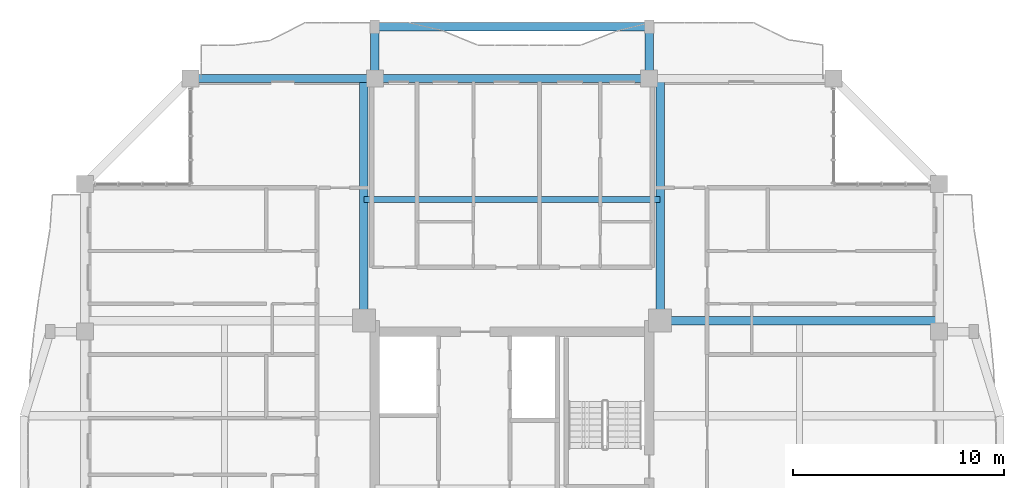
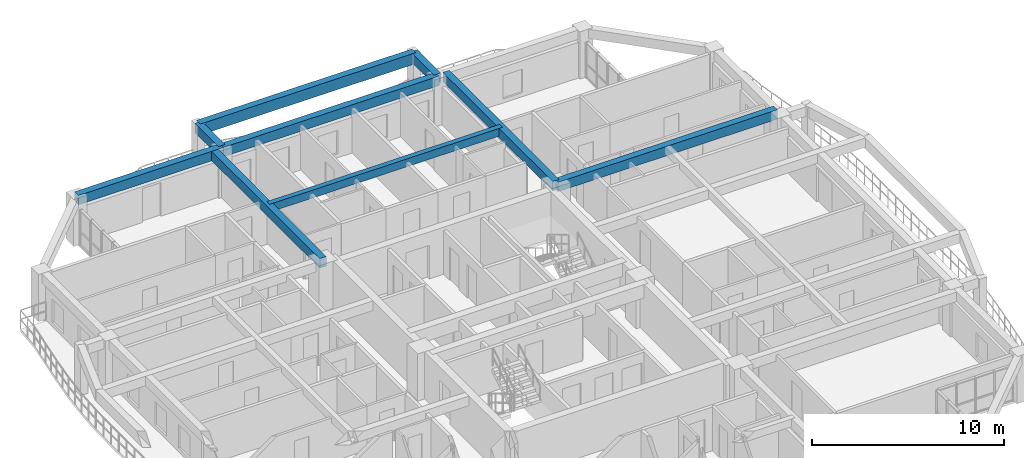
# One storey, part 7 of 21: 9 beams.
"""IFC4 building model written with IfcOpenShell, lengths in metres."""

import ifcopenshell
import ifcopenshell.guid

model = None  # the IFC model being written
_history = None  # IfcOwnerHistory: only IFC2X3 demands one
_inside = {}  # id of a spatial element -> (the spatial element, [elements in it])
_under = {}  # id of a project, library or spatial element -> (it, [spatial elements below it])
_declared = {}  # id of a project -> (the project, [libraries it declares])
_typed = {}  # id of a type object -> (the type object, [elements of that type])
_made_of = {}  # id of a material, layer set ... -> (it, [elements and type objects made of it])


def new_model(schema):
    """Start an empty IFC model of exactly this schema.

    Asked for "IFC4X3", IfcOpenShell would pick the latest addendum, in which some entities
    have other attributes; the version numbers below select the first issue.
    IFC2X3 requires an IfcOwnerHistory on every rooted entity: one is made here for all.
    """
    global model, _history
    if schema == "IFC4X3":
        model = ifcopenshell.file(schema_version=(4, 3, 0, 0))
    else:
        model = ifcopenshell.file(schema=schema)
    _inside.clear()
    _under.clear()
    _declared.clear()
    _typed.clear()
    _made_of.clear()
    _history = None
    if model.schema == "IFC2X3":
        org = make("IfcOrganization", Name="unknown")
        user = make(
            "IfcPersonAndOrganization",
            ThePerson=make("IfcPerson", FamilyName="unknown"),
            TheOrganization=org,
        )
        app = make(
            "IfcApplication",
            ApplicationDeveloper=org,
            Version="unknown",
            ApplicationFullName="unknown",
            ApplicationIdentifier="unknown",
        )
        _history = make(
            "IfcOwnerHistory",
            OwningUser=user,
            OwningApplication=app,
            ChangeAction="ADDED",
            CreationDate=0,
        )
    return model


def make(cls, **values):
    """One entity of the class cls with the attributes given. An attribute that is None is left unset."""
    return model.create_entity(
        cls, **{name: value for name, value in values.items() if value is not None}
    )


def rooted(cls, **values):
    """An entity with a GlobalId (a new one), such as an element, a storey or a relation."""
    return make(cls, GlobalId=ifcopenshell.guid.new(), OwnerHistory=_history, **values)


def si_unit(unit_type, name, prefix=None):
    """IfcSIUnit, for example si_unit("LENGTHUNIT", "METRE", prefix="MILLI")."""
    return make("IfcSIUnit", UnitType=unit_type, Prefix=prefix, Name=name)


def assignment(units):
    """IfcUnitAssignment: the units of a project."""
    return None if units is None else make("IfcUnitAssignment", Units=units)


def point(xyz):
    """IfcCartesianPoint."""
    return None if xyz is None else make("IfcCartesianPoint", Coordinates=xyz)


def direction(xyz):
    """IfcDirection."""
    return None if xyz is None else make("IfcDirection", DirectionRatios=xyz)


def frame(location, z_axis=None, x_axis=None):
    """IfcAxis2Placement3D, a coordinate frame: its origin and axes. An axis left out is left unset."""
    return make(
        "IfcAxis2Placement3D",
        Location=point(location),
        Axis=direction(z_axis),
        RefDirection=direction(x_axis),
    )


def frame_2d(location, x_axis=None):
    """IfcAxis2Placement2D, a coordinate frame in the plane: its origin and x axis."""
    return make(
        "IfcAxis2Placement2D", Location=point(location), RefDirection=direction(x_axis)
    )


def origin():
    """The frame at (0, 0, 0) with its axes left unset."""
    return frame((0.0, 0.0, 0.0))


def origin_2d():
    """The frame at (0, 0) in the plane with its x axis left unset."""
    return frame_2d((0.0, 0.0))


def place(relative_to, where):
    """IfcLocalPlacement: puts the frame where relative to a parent placement (None: the world)."""
    return make(
        "IfcLocalPlacement", PlacementRelTo=relative_to, RelativePlacement=where
    )


def context(
    kind, dimensions, precision=None, world=None, true_north=None, identifier=None
):
    """IfcGeometricRepresentationContext, for example the 3D "Model" context."""
    return make(
        "IfcGeometricRepresentationContext",
        ContextIdentifier=identifier,
        ContextType=kind,
        CoordinateSpaceDimension=dimensions,
        Precision=precision,
        WorldCoordinateSystem=world,
        TrueNorth=true_north,
    )


def subcontext(parent, identifier, kind, view, scale=None):
    """IfcGeometricRepresentationSubContext, for example "Body" below "Model"."""
    return make(
        "IfcGeometricRepresentationSubContext",
        ContextIdentifier=identifier,
        ContextType=kind,
        ParentContext=parent,
        TargetScale=scale,
        TargetView=view,
    )


def project(units=None, contexts=None):
    """IfcProject with its units and contexts."""
    return rooted(
        "IfcProject",
        Name="project",
        RepresentationContexts=contexts,
        UnitsInContext=assignment(units),
    )


def spatial(cls, under=None, at=None, **own):
    """A site, building, storey or space (cls), placed at a placement, below another one or the project."""
    s = rooted(cls, ObjectPlacement=at, **own)
    if under is not None:
        _under.setdefault(under.id(), (under, []))[1].append(s)
    return s


def profile(cls, at=None, kind="AREA", **sizes):
    """A parametric profile (cls). Its sizes go by their IFC names, for example OverallWidth=200.0."""
    return make(cls, ProfileType=kind, Position=at, **sizes)


def rectangle(**sizes):
    """IfcRectangleProfileDef."""
    return profile("IfcRectangleProfileDef", **sizes)


def extrude(swept, where, along, depth):
    """IfcExtrudedAreaSolid: the profile swept, set in the frame where, extruded along a direction by depth."""
    return make(
        "IfcExtrudedAreaSolid",
        SweptArea=swept,
        Position=where,
        ExtrudedDirection=direction(along),
        Depth=depth,
    )


def shape(context_of_items, identifier, shape_type, items):
    """IfcShapeRepresentation: the items that make up one representation, for example the "Body"."""
    return make(
        "IfcShapeRepresentation",
        ContextOfItems=context_of_items,
        RepresentationIdentifier=identifier,
        RepresentationType=shape_type,
        Items=items,
    )


def source(mapping_origin, context_of_items, identifier, shape_type, items):
    """IfcRepresentationMap: a shape defined once, which mapped items show again and again."""
    return make(
        "IfcRepresentationMap",
        MappingOrigin=mapping_origin,
        MappedRepresentation=shape(context_of_items, identifier, shape_type, items),
    )


def transform(
    local_origin,
    x_axis=None,
    y_axis=None,
    z_axis=None,
    scale=None,
    scale2=None,
    scale3=None,
    uniform=True,
):
    """IfcCartesianTransformationOperator3D, or its non-uniform kind. x_axis, y_axis, z_axis: its Axis1, 2, 3."""
    if uniform:
        return make(
            "IfcCartesianTransformationOperator3D",
            Axis1=direction(x_axis),
            Axis2=direction(y_axis),
            LocalOrigin=point(local_origin),
            Scale=scale,
            Axis3=direction(z_axis),
        )
    return make(
        "IfcCartesianTransformationOperator3DnonUniform",
        Axis1=direction(x_axis),
        Axis2=direction(y_axis),
        LocalOrigin=point(local_origin),
        Scale=scale,
        Axis3=direction(z_axis),
        Scale2=scale2,
        Scale3=scale3,
    )


def mapped(mapping_source, mapping_target):
    """IfcMappedItem: shows the shape of a source again, moved by a transform."""
    return make(
        "IfcMappedItem", MappingSource=mapping_source, MappingTarget=mapping_target
    )


def material(Name=None, Category=None):
    """IfcMaterial."""
    return make("IfcMaterial", Name=Name, Category=Category)


def material_profile(
    of_material, cross_section, Name=None, Category=None, Priority=None
):
    """IfcMaterialProfile: a cross section and its material."""
    return make(
        "IfcMaterialProfile",
        Name=Name,
        Material=of_material,
        Profile=cross_section,
        Priority=Priority,
        Category=Category,
    )


def profile_set(profiles, Name=None, composite=None):
    """IfcMaterialProfileSet."""
    return make(
        "IfcMaterialProfileSet",
        Name=Name,
        MaterialProfiles=profiles,
        CompositeProfile=composite,
    )


def made_of(thing, what):
    """Note that an element or type object is made of a material, layer set ...; save() writes the relation."""
    if what is not None:
        _made_of.setdefault(what.id(), (what, []))[1].append(thing)
    return thing


def type_object(cls, material=None, **own):
    """A type object (cls), such as IfcWallType, which elements share."""
    return made_of(rooted(cls, **own), material)


def element(
    cls,
    number,
    at=None,
    inside=None,
    cuts=None,
    type_object=None,
    material=None,
    context=None,
    identifier="Body",
    shape_type=None,
    held_by="IfcProductDefinitionShape",
    body=None,
    shapes=None,
    **own,
):
    """One element of the class cls, such as IfcWall. Its Tag is "e" and its number.

    at: its placement. inside: the storey or other place that contains it. cuts: it is an
    opening in that element (IfcRelVoidsElement). A single representation is given by context,
    identifier, shape_type and body (its items); several are given by shapes. held_by: the class
    of the entity that holds the representations. save() writes the other relations.
    """
    e = rooted(cls, Tag="e%d" % number, ObjectPlacement=at, **own)
    if body is not None:
        shapes = [shape(context, identifier, shape_type, body)]
    if shapes is not None:
        e.Representation = make(held_by, Representations=shapes)
    if inside is not None:
        _inside.setdefault(inside.id(), (inside, []))[1].append(e)
    if cuts is not None:
        rooted(
            "IfcRelVoidsElement", RelatingBuildingElement=cuts, RelatedOpeningElement=e
        )
    if type_object is not None:
        _typed.setdefault(type_object.id(), (type_object, []))[1].append(e)
    return made_of(e, material)


def aggregate(whole, parts):
    """IfcRelAggregates: a whole, such as a stair, and the parts it consists of."""
    return rooted("IfcRelAggregates", RelatingObject=whole, RelatedObjects=parts)


def save(model, path):
    """Write the relations noted so far, then the file.

    IfcRelAggregates (storeys below a building ...), IfcRelContainedInSpatialStructure (elements
    in a storey), IfcRelDefinesByType, IfcRelAssociatesMaterial and IfcRelDeclares: one each for
    every whole, place, type object, material and project.
    """
    for whole, parts in _under.values():
        aggregate(whole, parts)
    for where, things in _inside.values():
        rooted(
            "IfcRelContainedInSpatialStructure",
            RelatedElements=things,
            RelatingStructure=where,
        )
    for kind, things in _typed.values():
        rooted("IfcRelDefinesByType", RelatedObjects=things, RelatingType=kind)
    for what, things in _made_of.values():
        rooted("IfcRelAssociatesMaterial", RelatedObjects=things, RelatingMaterial=what)
    for by, libraries in _declared.values():
        rooted("IfcRelDeclares", RelatingContext=by, RelatedDefinitions=libraries)
    model.write(path)


model = new_model("IFC4")

# Units and contexts
model_context = context("Model", 3, precision=1e-05, world=origin(), true_north=direction((0.0, 1.0)))
body_context = subcontext(model_context, "Body", "Model", "MODEL_VIEW")
ifc_project = project(units=[si_unit("LENGTHUNIT", "METRE"), si_unit("AREAUNIT", "SQUARE_METRE"), si_unit("VOLUMEUNIT", "CUBIC_METRE"), si_unit("PLANEANGLEUNIT", "RADIAN"), si_unit("MASSUNIT", "GRAM", prefix="KILO")], contexts=[model_context])

# Site, building, storey
site_placement = place(None, origin())
site = spatial("IfcSite", under=ifc_project, at=site_placement, CompositionType="ELEMENT")
building_placement = place(site_placement, origin())
building = spatial("IfcBuilding", under=site, at=building_placement, Name="Saelheon Loggia Tower", CompositionType="ELEMENT")
storey_placement = place(building_placement, frame((0.0, 0.0, 186.699951171875)))
storey = spatial("IfcBuildingStorey", under=building, at=storey_placement, Name="L58", CompositionType="ELEMENT", Elevation=186.699951171875)

# Beams
ifc_material_1 = material(Name="Precast Concrete C45/55", Category="concrete")
ifc_material_profile_1 = material_profile(ifc_material_1, rectangle(XDim=0.39990234375, YDim=0.60009765625, at=origin_2d()), Name="RC-400x600")
ifc_profile_set_1 = profile_set([ifc_material_profile_1], Name="Precast Concrete C45/55")
beam_type_1 = type_object("IfcBeamType", Name="Beam_LoggiaTie_RC400x600", PredefinedType="BEAM", material=ifc_profile_set_1)
shared_shape_1 = source(origin(), body_context, "Body", "SweptSolid", [
    extrude(rectangle(XDim=0.39990234375, YDim=0.60009765625, at=origin_2d()), origin(), (0.0, 0.0, 1.0), 2.449951171875),
])
for number, where, z_axis, x_axis, name in (
    (1, (31.5, 48.0, 2.699951171875), (0.0, 1.0, 0.0), (-1.0, 0.0, 0.0), "L58 Loggia Frame Tie Beam LP-N1"),
    (2, (44.5, 48.0, 2.699951171875), (0.0, 1.0, 0.0), (-1.0, 0.0, 0.0), "L58 Loggia Frame Tie Beam LP-N2"),
):
    element("IfcBeam", number, at=place(storey_placement, frame(where, z_axis=z_axis, x_axis=x_axis)), inside=storey, type_object=beam_type_1, Name=name, PredefinedType="BEAM", context=body_context, shape_type="MappedRepresentation", body=[
        mapped(shared_shape_1, transform((0.0, 0.0, 0.0), scale=1.0)),
    ])
ifc_material_2 = material(Name="Concrete C40/50", Category="concrete")
ifc_material_profile_2 = material_profile(ifc_material_2, rectangle(XDim=0.300048828125, YDim=0.5, at=origin_2d()), Name="RC-300x500")
ifc_profile_set_2 = profile_set([ifc_material_profile_2], Name="Concrete C40/50")
beam_type_2 = type_object("IfcBeamType", Name="Beam_Joist_RC300x500", PredefinedType="JOIST", material=ifc_profile_set_2)
shared_shape_2 = source(origin(), body_context, "Body", "SweptSolid", [
    extrude(rectangle(XDim=0.300048828125, YDim=0.5, at=origin_2d()), origin(), (0.0, 0.0, 1.0), 14.0400390625),
])
beam_1_placement = place(storey_placement, frame((30.97998046875, 42.260009765625, 2.75), z_axis=(1.0, 0.0, 0.0), x_axis=(0.0, 1.0, 0.0)))
element("IfcBeam", 3, at=beam_1_placement, inside=storey, type_object=beam_type_2, Name="L58 North Floor Joist", PredefinedType="JOIST", context=body_context, shape_type="MappedRepresentation", body=[
    mapped(shared_shape_2, transform((0.0, 0.0, 0.0), scale=1.0)),
])
ifc_material_profile_3 = material_profile(ifc_material_1, rectangle(XDim=0.39990234375, YDim=0.699951171875, at=origin_2d()), Name="RC-400x700")
ifc_profile_set_3 = profile_set([ifc_material_profile_3], Name="Precast Concrete C45/55")
beam_type_3 = type_object("IfcBeamType", Name="Beam_LoggiaSpandrel_RC400x700", PredefinedType="SPANDREL", material=ifc_profile_set_3)
shared_shape_3 = source(origin(), body_context, "Body", "SweptSolid", [
    extrude(rectangle(XDim=0.39990234375, YDim=0.699951171875, at=origin_2d()), origin(), (0.0, 0.0, 1.0), 13.0),
])
beam_2_placement = place(storey_placement, frame((31.5, 50.449951171875, 2.650146484375), z_axis=(1.0, 0.0, 0.0), x_axis=(0.0, 1.0, 0.0)))
element("IfcBeam", 4, at=beam_2_placement, inside=storey, type_object=beam_type_3, Name="L58 Loggia Spandrel Beam N", PredefinedType="SPANDREL", context=body_context, shape_type="MappedRepresentation", body=[
    mapped(shared_shape_3, transform((0.0, 0.0, 0.0), scale=1.0)),
])
ifc_material_profile_4 = material_profile(ifc_material_2, rectangle(XDim=0.39990234375, YDim=0.60009765625, at=origin_2d()), Name="RC-400x600")
ifc_profile_set_4 = profile_set([ifc_material_profile_4], Name="Concrete C40/50")
beam_type_4 = type_object("IfcBeamType", Name="Beam_PerimUpper_RC400x600", PredefinedType="BEAM", material=ifc_profile_set_4)
shared_shape_4 = source(origin(), body_context, "Body", "SweptSolid", [
    extrude(rectangle(XDim=0.39990234375, YDim=0.60009765625, at=origin_2d()), origin(), (0.0, 0.0, 1.0), 8.75),
])
beam_3_placement = place(storey_placement, frame((31.5, 48.0, 2.699951171875), z_axis=(-1.0, 0.0, 0.0), x_axis=(0.0, -1.0, 0.0)))
element("IfcBeam", 5, at=beam_3_placement, inside=storey, type_object=beam_type_4, Name="L58 Perimeter Frame Girder 11", PredefinedType="BEAM", context=body_context, shape_type="MappedRepresentation", body=[
    mapped(shared_shape_4, transform((0.0, 0.0, 0.0), scale=1.0)),
])
shared_shape_5 = source(origin(), body_context, "Body", "SweptSolid", [
    extrude(rectangle(XDim=0.39990234375, YDim=0.60009765625, at=origin_2d()), origin(), (0.0, 0.0, 1.0), 13.0),
])
beam_4_placement = place(storey_placement, frame((44.5, 48.0, 2.699951171875), z_axis=(-1.0, 0.0, 0.0), x_axis=(0.0, -1.0, 0.0)))
element("IfcBeam", 6, at=beam_4_placement, inside=storey, type_object=beam_type_4, Name="L58 Perimeter Frame Girder 10", PredefinedType="BEAM", context=body_context, shape_type="MappedRepresentation", body=[
    mapped(shared_shape_5, transform((0.0, 0.0, 0.0), scale=1.0)),
])
ifc_material_profile_5 = material_profile(ifc_material_2, rectangle(XDim=0.39990234375, YDim=0.60009765625, at=origin_2d()), Name="RC-400x600")
ifc_profile_set_5 = profile_set([ifc_material_profile_5], Name="Concrete C40/50")
beam_type_5 = type_object("IfcBeamType", Name="Beam_UpperGirder_RC400x600", PredefinedType="BEAM", material=ifc_profile_set_5)
shared_shape_6 = source(origin(), body_context, "Body", "SweptSolid", [
    extrude(rectangle(XDim=0.39990234375, YDim=0.60009765625, at=origin_2d()), origin(), (0.0, 0.0, 1.0), 11.47998046875),
])
for number, where, z_axis, x_axis, name in (
    (7, (30.97998046875, 36.52001953125, 2.699951171875), (0.0, 1.0, 0.0), (-1.0, 0.0, 0.0), "L58 Radial Floor Girder RAD-NW-N"),
    (8, (45.02001953125, 36.52001953125, 2.699951171875), (0.0, 1.0, 0.0), (-1.0, 0.0, 0.0), "L58 Radial Floor Girder RAD-NE-N"),
):
    element("IfcBeam", number, at=place(storey_placement, frame(where, z_axis=z_axis, x_axis=x_axis)), inside=storey, type_object=beam_type_5, Name=name, PredefinedType="BEAM", context=body_context, shape_type="MappedRepresentation", body=[
        mapped(shared_shape_6, transform((0.0, 0.0, 0.0), scale=1.0)),
    ])
shared_shape_7 = source(origin(), body_context, "Body", "SweptSolid", [
    extrude(rectangle(XDim=0.39990234375, YDim=0.60009765625, at=origin_2d()), origin(), (0.0, 0.0, 1.0), 13.22998046875),
])
beam_5_placement = place(storey_placement, frame((45.02001953125, 36.52001953125, 2.699951171875), z_axis=(1.0, 0.0, 0.0), x_axis=(0.0, 1.0, 0.0)))
element("IfcBeam", 9, at=beam_5_placement, inside=storey, type_object=beam_type_5, Name="L58 Radial Floor Girder RAD-NE-E", PredefinedType="BEAM", context=body_context, shape_type="MappedRepresentation", body=[
    mapped(shared_shape_7, transform((0.0, 0.0, 0.0), scale=1.0)),
])

save(model, "model.ifc")
